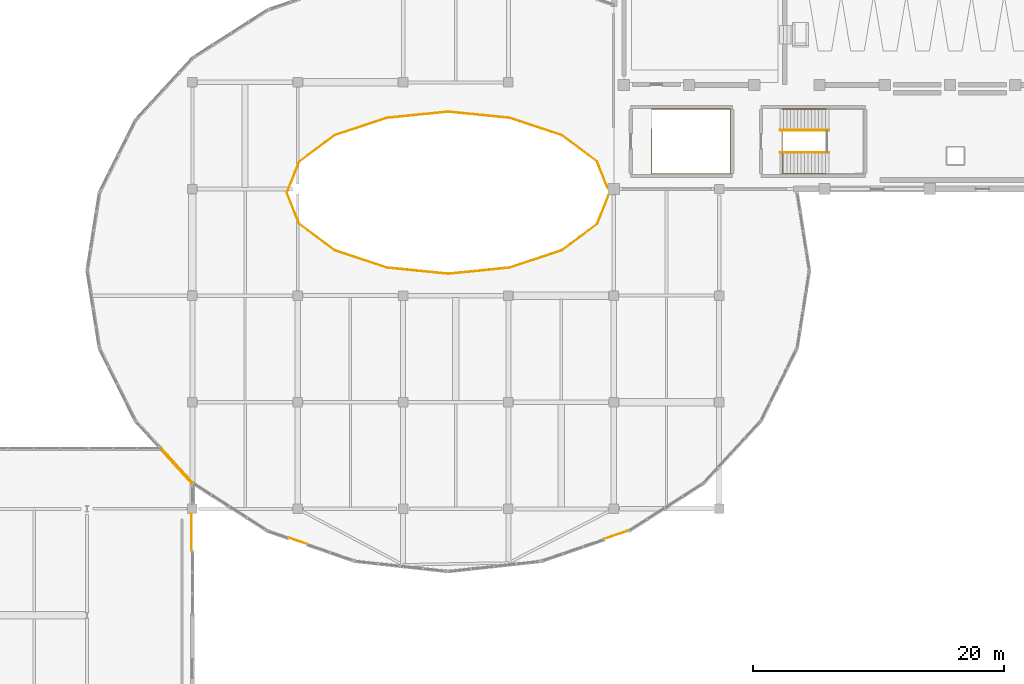
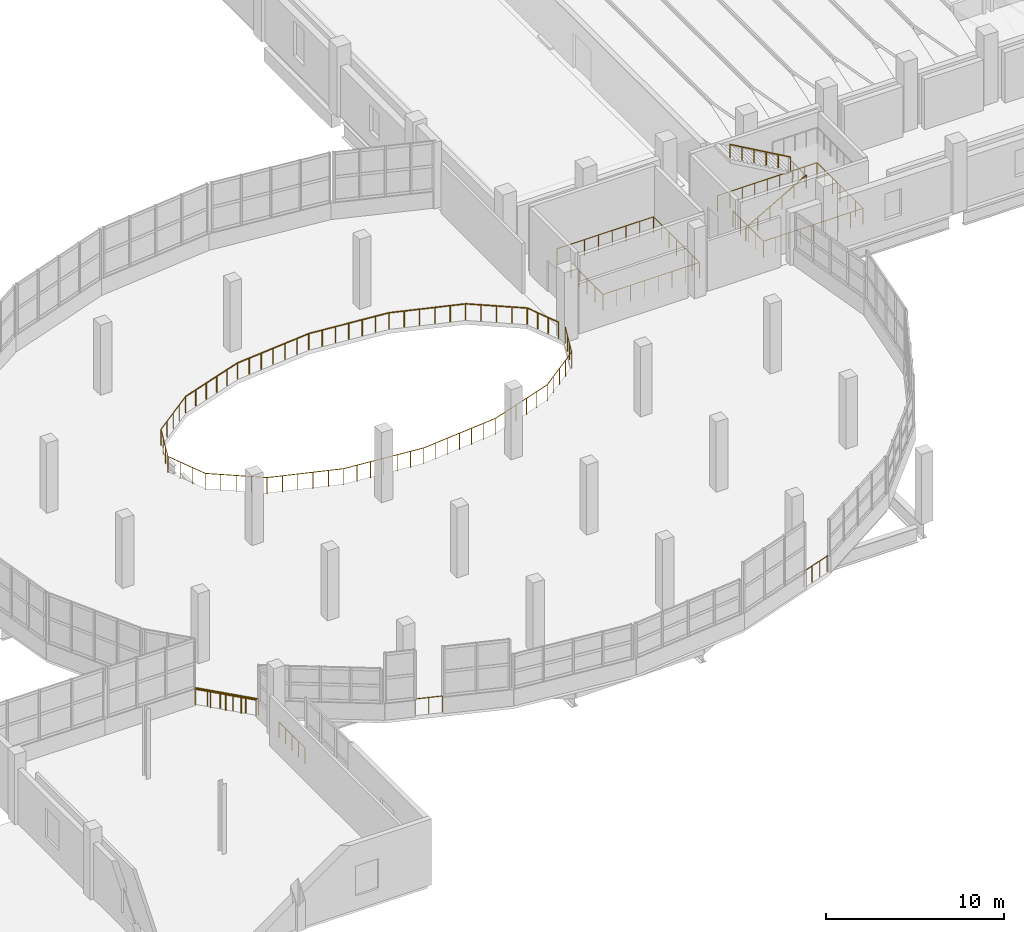
# One storey, part 110 of 117: 11 railings.
"""IFC4 building model written with IfcOpenShell, lengths in metres."""

from ifc_helpers import new_model, si_unit, direction, frame, origin, origin_2d, place, context, subcontext, project, spatial, circle, extrude, material, type_object, element, save


model = new_model("IFC4")

# Units and contexts
model_context = context("Model", 3, precision=1e-05, world=origin(), true_north=direction((0.0, 1.0)))
body_context = subcontext(model_context, "Body", "Model", "MODEL_VIEW")
ifc_project = project(units=[si_unit("LENGTHUNIT", "METRE"), si_unit("AREAUNIT", "SQUARE_METRE"), si_unit("VOLUMEUNIT", "CUBIC_METRE"), si_unit("PLANEANGLEUNIT", "RADIAN"), si_unit("MASSUNIT", "GRAM", prefix="KILO")], contexts=[model_context])

# Site, building, storey
site_placement = place(None, origin())
site = spatial("IfcSite", under=ifc_project, at=site_placement, CompositionType="ELEMENT")
building_placement = place(site_placement, origin())
building = spatial("IfcBuilding", under=site, at=building_placement, Name="Solvento Point Concert Hall", CompositionType="ELEMENT")
storey_placement = place(building_placement, frame((0.0, 0.0, 5.39990234375)))
storey = spatial("IfcBuildingStorey", under=building, at=storey_placement, Name="L01", CompositionType="ELEMENT", Elevation=5.39990234375)

# Railings
ifc_material_1 = material(Name="Brushed Stainless Steel Balustrade", Category="steel")
railing_type_1 = type_object("IfcRailingType", Name="StairHandrail_915", PredefinedType="HANDRAIL", material=ifc_material_1)
railing_1_placement = place(storey_placement, frame((87.64990234375, 45.409912109375, 0.16015625)))
element("IfcRailing", 1, at=railing_1_placement, inside=storey, type_object=railing_type_1, Name="Stair handrail HR-01 ST-06 L01 F1", PredefinedType="HANDRAIL", context=body_context, shape_type="SweptSolid", body=[
    extrude(circle(Radius=0.0224609375, at=origin_2d()), frame((0.0, 0.0, 0.892578125), z_axis=(0.86825312469, 0.0, 0.496121468458), x_axis=(0.0, 1.0, 0.0)), (0.0, 0.0, 1.0), 4.514892578125),
    extrude(circle(Radius=0.01904296875, at=origin_2d()), origin(), (0.0, 0.0, 1.0), 0.8701171875),
    extrude(circle(Radius=0.01904296875, at=origin_2d()), frame((0.783935546875, 0.0, 0.447998046875)), (0.0, 0.0, 1.0), 0.8701171875),
    extrude(circle(Radius=0.01904296875, at=origin_2d()), frame((1.568115234375, 0.0, 0.89599609375)), (0.0, 0.0, 1.0), 0.8701171875),
    extrude(circle(Radius=0.01904296875, at=origin_2d()), frame((2.35205078125, 0.0, 1.343994140625)), (0.0, 0.0, 1.0), 0.8701171875),
    extrude(circle(Radius=0.01904296875, at=origin_2d()), frame((3.13623046875, 0.0, 1.7919921875)), (0.0, 0.0, 1.0), 0.8701171875),
    extrude(circle(Radius=0.01904296875, at=origin_2d()), frame((3.920166015625, 0.0, 2.239990234375)), (0.0, 0.0, 1.0), 0.8701171875),
])
railing_2_placement = place(storey_placement, frame((91.570068359375, 47.18994140625, 2.56005859375)))
element("IfcRailing", 2, at=railing_2_placement, inside=storey, type_object=railing_type_1, Name="Stair handrail HR-01 ST-06 L01 F2", PredefinedType="HANDRAIL", context=body_context, shape_type="SweptSolid", body=[
    extrude(circle(Radius=0.0224609375, at=origin_2d()), frame((0.0, 0.0, 0.892578125), z_axis=(-0.86825312469, 0.0, 0.496121468458), x_axis=(0.0, -1.0, 0.0)), (0.0, 0.0, 1.0), 4.514892578125),
    extrude(circle(Radius=0.01904296875, at=origin_2d()), origin(), (0.0, 0.0, 1.0), 0.8701171875),
    extrude(circle(Radius=0.01904296875, at=origin_2d()), frame((-0.783935546875, 0.0, 0.447998046875)), (0.0, 0.0, 1.0), 0.8701171875),
    extrude(circle(Radius=0.01904296875, at=origin_2d()), frame((-1.568115234375, 0.0, 0.89599609375)), (0.0, 0.0, 1.0), 0.8701171875),
    extrude(circle(Radius=0.01904296875, at=origin_2d()), frame((-2.35205078125, 0.0, 1.343994140625)), (0.0, 0.0, 1.0), 0.8701171875),
    extrude(circle(Radius=0.01904296875, at=origin_2d()), frame((-3.13623046875, 0.0, 1.7919921875)), (0.0, 0.0, 1.0), 0.8701171875),
    extrude(circle(Radius=0.01904296875, at=origin_2d()), frame((-3.920166015625, 0.0, 2.239990234375)), (0.0, 0.0, 1.0), 0.8701171875),
])
ifc_material_2 = material(Name="Brushed Stainless Steel Balustrade", Category="steel")
railing_type_2 = type_object("IfcRailingType", Name="StairWellGuard_1100", PredefinedType="BALUSTRADE", material=ifc_material_2)
railing_3_placement = place(storey_placement, frame((87.820068359375, 47.139892578125, 0.0)))
element("IfcRailing", 3, at=railing_3_placement, inside=storey, type_object=railing_type_2, Name="Stairwell guard GR-02 ST-06 L01", PredefinedType="BALUSTRADE", context=body_context, shape_type="SweptSolid", body=[
    extrude(circle(Radius=0.02392578125, at=origin_2d()), frame((0.0, 0.0, 1.09619140625), z_axis=(0.0, -1.0, 0.0), x_axis=(1.0, 0.0, 0.0)), (0.0, 0.0, 1.0), 3.419921875),
    extrude(circle(Radius=0.02392578125, at=origin_2d()), frame((0.0, -3.419921875, 1.09619140625), z_axis=(1.0, 0.0, 0.0), x_axis=(0.0, 1.0, 0.0)), (0.0, 0.0, 1.0), 6.4599609375),
    extrude(circle(Radius=0.02392578125, at=origin_2d()), frame((6.4599609375, -3.419921875, 1.09619140625), z_axis=(0.0, 1.0, 0.0), x_axis=(-1.0, 0.0, 0.0)), (0.0, 0.0, 1.0), 5.159912109375),
    extrude(circle(Radius=0.02392578125, at=origin_2d()), frame((6.4599609375, 1.739990234375, 1.09619140625), z_axis=(-1.0, 0.0, 0.0), x_axis=(0.0, -1.0, 0.0)), (0.0, 0.0, 1.0), 6.4599609375),
    extrude(circle(Radius=0.02392578125, at=origin_2d()), frame((0.0, 1.739990234375, 1.09619140625), z_axis=(0.0, 1.0, 0.0), x_axis=(-1.0, 0.0, 0.0)), (0.0, 0.0, 1.0), 0.02001953125),
    extrude(circle(Radius=0.02099609375, at=origin_2d()), origin(), (0.0, 0.0, 1.0), 1.072021484375),
    extrude(circle(Radius=0.02099609375, at=origin_2d()), frame((0.0, -0.85498046875, 0.0)), (0.0, 0.0, 1.0), 1.072021484375),
    extrude(circle(Radius=0.02099609375, at=origin_2d()), frame((0.0, -1.7099609375, 0.0)), (0.0, 0.0, 1.0), 1.072021484375),
    extrude(circle(Radius=0.02099609375, at=origin_2d()), frame((0.0, -2.56494140625, 0.0)), (0.0, 0.0, 1.0), 1.072021484375),
    extrude(circle(Radius=0.02099609375, at=origin_2d()), frame((0.0, -3.419921875, 0.0)), (0.0, 0.0, 1.0), 1.072021484375),
    extrude(circle(Radius=0.02099609375, at=origin_2d()), frame((0.8076171875, -3.419921875, 0.0)), (0.0, 0.0, 1.0), 1.072021484375),
    extrude(circle(Radius=0.02099609375, at=origin_2d()), frame((1.614990234375, -3.419921875, 0.0)), (0.0, 0.0, 1.0), 1.072021484375),
    extrude(circle(Radius=0.02099609375, at=origin_2d()), frame((2.42236328125, -3.419921875, 0.0)), (0.0, 0.0, 1.0), 1.072021484375),
    extrude(circle(Radius=0.02099609375, at=origin_2d()), frame((3.22998046875, -3.419921875, 0.0)), (0.0, 0.0, 1.0), 1.072021484375),
    extrude(circle(Radius=0.02099609375, at=origin_2d()), frame((4.03759765625, -3.419921875, 0.0)), (0.0, 0.0, 1.0), 1.072021484375),
    extrude(circle(Radius=0.02099609375, at=origin_2d()), frame((4.844970703125, -3.419921875, 0.0)), (0.0, 0.0, 1.0), 1.072021484375),
    extrude(circle(Radius=0.02099609375, at=origin_2d()), frame((5.65234375, -3.419921875, 0.0)), (0.0, 0.0, 1.0), 1.072021484375),
    extrude(circle(Radius=0.02099609375, at=origin_2d()), frame((6.4599609375, -3.419921875, 0.0)), (0.0, 0.0, 1.0), 1.072021484375),
    extrude(circle(Radius=0.02099609375, at=origin_2d()), frame((6.4599609375, -2.56005859375, 0.0)), (0.0, 0.0, 1.0), 1.072021484375),
    extrude(circle(Radius=0.02099609375, at=origin_2d()), frame((6.4599609375, -1.699951171875, 0.0)), (0.0, 0.0, 1.0), 1.072021484375),
    extrude(circle(Radius=0.02099609375, at=origin_2d()), frame((6.4599609375, -0.83984375, 0.0)), (0.0, 0.0, 1.0), 1.072021484375),
    extrude(circle(Radius=0.02099609375, at=origin_2d()), frame((6.4599609375, 0.02001953125, 0.0)), (0.0, 0.0, 1.0), 1.072021484375),
    extrude(circle(Radius=0.02099609375, at=origin_2d()), frame((6.4599609375, 0.8798828125, 0.0)), (0.0, 0.0, 1.0), 1.072021484375),
    extrude(circle(Radius=0.02099609375, at=origin_2d()), frame((6.4599609375, 1.739990234375, 0.0)), (0.0, 0.0, 1.0), 1.072021484375),
    extrude(circle(Radius=0.02099609375, at=origin_2d()), frame((5.65234375, 1.739990234375, 0.0)), (0.0, 0.0, 1.0), 1.072021484375),
    extrude(circle(Radius=0.02099609375, at=origin_2d()), frame((4.844970703125, 1.739990234375, 0.0)), (0.0, 0.0, 1.0), 1.072021484375),
    extrude(circle(Radius=0.02099609375, at=origin_2d()), frame((4.03759765625, 1.739990234375, 0.0)), (0.0, 0.0, 1.0), 1.072021484375),
    extrude(circle(Radius=0.02099609375, at=origin_2d()), frame((3.22998046875, 1.739990234375, 0.0)), (0.0, 0.0, 1.0), 1.072021484375),
    extrude(circle(Radius=0.02099609375, at=origin_2d()), frame((2.42236328125, 1.739990234375, 0.0)), (0.0, 0.0, 1.0), 1.072021484375),
    extrude(circle(Radius=0.02099609375, at=origin_2d()), frame((1.614990234375, 1.739990234375, 0.0)), (0.0, 0.0, 1.0), 1.072021484375),
    extrude(circle(Radius=0.02099609375, at=origin_2d()), frame((0.8076171875, 1.739990234375, 0.0)), (0.0, 0.0, 1.0), 1.072021484375),
    extrude(circle(Radius=0.02099609375, at=origin_2d()), frame((0.0, 1.739990234375, 0.0)), (0.0, 0.0, 1.0), 1.072021484375),
    extrude(circle(Radius=0.02099609375, at=origin_2d()), frame((0.0, 1.760009765625, 0.0)), (0.0, 0.0, 1.0), 1.072021484375),
])
railing_4_placement = place(storey_placement, frame((77.419921875, 47.300048828125, 0.0)))
element("IfcRailing", 4, at=railing_4_placement, inside=storey, type_object=railing_type_2, Name="Stairwell guard GR-02 VOM-01 L01", PredefinedType="BALUSTRADE", context=body_context, shape_type="SweptSolid", body=[
    extrude(circle(Radius=0.02392578125, at=origin_2d()), frame((0.0, 0.0, 1.09619140625), z_axis=(0.0, -1.0, 0.0), x_axis=(1.0, 0.0, 0.0)), (0.0, 0.0, 1.0), 3.580078125),
    extrude(circle(Radius=0.02392578125, at=origin_2d()), frame((0.0, -3.580078125, 1.09619140625), z_axis=(1.0, 0.0, 0.0), x_axis=(0.0, 1.0, 0.0)), (0.0, 0.0, 1.0), 6.260009765625),
    extrude(circle(Radius=0.02392578125, at=origin_2d()), frame((6.260009765625, -3.580078125, 1.09619140625), z_axis=(0.0, 1.0, 0.0), x_axis=(-1.0, 0.0, 0.0)), (0.0, 0.0, 1.0), 5.159912109375),
    extrude(circle(Radius=0.02392578125, at=origin_2d()), frame((6.260009765625, 1.579833984375, 1.09619140625), z_axis=(-1.0, 0.0, 0.0), x_axis=(0.0, -1.0, 0.0)), (0.0, 0.0, 1.0), 6.260009765625),
    extrude(circle(Radius=0.02392578125, at=origin_2d()), frame((0.0, 1.579833984375, 1.09619140625), z_axis=(0.0, 1.0, 0.0), x_axis=(-1.0, 0.0, 0.0)), (0.0, 0.0, 1.0), 0.02001953125),
    extrude(circle(Radius=0.02099609375, at=origin_2d()), origin(), (0.0, 0.0, 1.0), 1.072021484375),
    extrude(circle(Radius=0.02099609375, at=origin_2d()), frame((0.0, -0.89501953125, 0.0)), (0.0, 0.0, 1.0), 1.072021484375),
    extrude(circle(Radius=0.02099609375, at=origin_2d()), frame((0.0, -1.7900390625, 0.0)), (0.0, 0.0, 1.0), 1.072021484375),
    extrude(circle(Radius=0.02099609375, at=origin_2d()), frame((0.0, -2.68505859375, 0.0)), (0.0, 0.0, 1.0), 1.072021484375),
    extrude(circle(Radius=0.02099609375, at=origin_2d()), frame((0.0, -3.580078125, 0.0)), (0.0, 0.0, 1.0), 1.072021484375),
    extrude(circle(Radius=0.02099609375, at=origin_2d()), frame((0.894287109375, -3.580078125, 0.0)), (0.0, 0.0, 1.0), 1.072021484375),
    extrude(circle(Radius=0.02099609375, at=origin_2d()), frame((1.78857421875, -3.580078125, 0.0)), (0.0, 0.0, 1.0), 1.072021484375),
    extrude(circle(Radius=0.02099609375, at=origin_2d()), frame((2.682861328125, -3.580078125, 0.0)), (0.0, 0.0, 1.0), 1.072021484375),
    extrude(circle(Radius=0.02099609375, at=origin_2d()), frame((3.5771484375, -3.580078125, 0.0)), (0.0, 0.0, 1.0), 1.072021484375),
    extrude(circle(Radius=0.02099609375, at=origin_2d()), frame((4.471435546875, -3.580078125, 0.0)), (0.0, 0.0, 1.0), 1.072021484375),
    extrude(circle(Radius=0.02099609375, at=origin_2d()), frame((5.36572265625, -3.580078125, 0.0)), (0.0, 0.0, 1.0), 1.072021484375),
    extrude(circle(Radius=0.02099609375, at=origin_2d()), frame((6.260009765625, -3.580078125, 0.0)), (0.0, 0.0, 1.0), 1.072021484375),
    extrude(circle(Radius=0.02099609375, at=origin_2d()), frame((6.260009765625, -2.72021484375, 0.0)), (0.0, 0.0, 1.0), 1.072021484375),
    extrude(circle(Radius=0.02099609375, at=origin_2d()), frame((6.260009765625, -1.860107421875, 0.0)), (0.0, 0.0, 1.0), 1.072021484375),
    extrude(circle(Radius=0.02099609375, at=origin_2d()), frame((6.260009765625, -1.0, 0.0)), (0.0, 0.0, 1.0), 1.072021484375),
    extrude(circle(Radius=0.02099609375, at=origin_2d()), frame((6.260009765625, -0.14013671875, 0.0)), (0.0, 0.0, 1.0), 1.072021484375),
    extrude(circle(Radius=0.02099609375, at=origin_2d()), frame((6.260009765625, 0.7197265625, 0.0)), (0.0, 0.0, 1.0), 1.072021484375),
    extrude(circle(Radius=0.02099609375, at=origin_2d()), frame((6.260009765625, 1.579833984375, 0.0)), (0.0, 0.0, 1.0), 1.072021484375),
    extrude(circle(Radius=0.02099609375, at=origin_2d()), frame((5.36572265625, 1.579833984375, 0.0)), (0.0, 0.0, 1.0), 1.072021484375),
    extrude(circle(Radius=0.02099609375, at=origin_2d()), frame((4.471435546875, 1.579833984375, 0.0)), (0.0, 0.0, 1.0), 1.072021484375),
    extrude(circle(Radius=0.02099609375, at=origin_2d()), frame((3.5771484375, 1.579833984375, 0.0)), (0.0, 0.0, 1.0), 1.072021484375),
    extrude(circle(Radius=0.02099609375, at=origin_2d()), frame((2.682861328125, 1.579833984375, 0.0)), (0.0, 0.0, 1.0), 1.072021484375),
    extrude(circle(Radius=0.02099609375, at=origin_2d()), frame((1.78857421875, 1.579833984375, 0.0)), (0.0, 0.0, 1.0), 1.072021484375),
    extrude(circle(Radius=0.02099609375, at=origin_2d()), frame((0.894287109375, 1.579833984375, 0.0)), (0.0, 0.0, 1.0), 1.072021484375),
    extrude(circle(Radius=0.02099609375, at=origin_2d()), frame((0.0, 1.579833984375, 0.0)), (0.0, 0.0, 1.0), 1.072021484375),
    extrude(circle(Radius=0.02099609375, at=origin_2d()), frame((0.0, 1.599853515625, 0.0)), (0.0, 0.0, 1.0), 1.072021484375),
])
ifc_material_3 = material(Name="Brushed Stainless Steel Balustrade", Category="steel")
railing_type_3 = type_object("IfcRailingType", Name="TerraceBalustrade_1100", PredefinedType="BALUSTRADE", material=ifc_material_3)
railing_5_placement = place(storey_placement, frame((49.964599609375, 14.1865234375, 0.0)))
element("IfcRailing", 5, at=railing_5_placement, inside=storey, type_object=railing_type_3, Name="Guard balustrade GR-01 L01", PredefinedType="BALUSTRADE", context=body_context, shape_type="SweptSolid", body=[
    extrude(circle(Radius=0.02392578125, at=origin_2d()), frame((0.0, 0.0, 1.09619140625), z_axis=(-0.945300533114, 0.326200708297, 0.0), x_axis=(-0.326200708297, -0.945300533114, 0.0)), (0.0, 0.0, 1.0), 1.576171875),
    extrude(circle(Radius=0.02099609375, at=origin_2d()), origin(), (0.0, 0.0, 1.0), 1.072021484375),
    extrude(circle(Radius=0.02099609375, at=origin_2d()), frame((-0.7451171875, 0.257080078125, 0.0)), (0.0, 0.0, 1.0), 1.072021484375),
    extrude(circle(Radius=0.02099609375, at=origin_2d()), frame((-1.489990234375, 0.51416015625, 0.0)), (0.0, 0.0, 1.0), 1.072021484375),
])
railing_6_placement = place(storey_placement, frame((40.86865234375, 19.081787109375, 0.0)))
element("IfcRailing", 6, at=railing_6_placement, inside=storey, type_object=railing_type_3, Name="Guard balustrade GR-01 L01", PredefinedType="BALUSTRADE", context=body_context, shape_type="SweptSolid", body=[
    extrude(circle(Radius=0.02392578125, at=origin_2d()), frame((0.0, 0.0, 1.09619140625), z_axis=(-0.677373791956, 0.7356390052, 0.0), x_axis=(-0.7356390052, -0.677373791956, 0.0)), (0.0, 0.0, 1.0), 3.750244140625),
    extrude(circle(Radius=0.02099609375, at=origin_2d()), origin(), (0.0, 0.0, 1.0), 1.072021484375),
    extrude(circle(Radius=0.02099609375, at=origin_2d()), frame((-0.508056640625, 0.5517578125, 0.0)), (0.0, 0.0, 1.0), 1.072021484375),
    extrude(circle(Radius=0.02099609375, at=origin_2d()), frame((-1.01611328125, 1.103515625, 0.0)), (0.0, 0.0, 1.0), 1.072021484375),
    extrude(circle(Radius=0.02099609375, at=origin_2d()), frame((-1.524169921875, 1.6552734375, 0.0)), (0.0, 0.0, 1.0), 1.072021484375),
    extrude(circle(Radius=0.02099609375, at=origin_2d()), frame((-2.0322265625, 2.20703125, 0.0)), (0.0, 0.0, 1.0), 1.072021484375),
    extrude(circle(Radius=0.02099609375, at=origin_2d()), frame((-2.540283203125, 2.7587890625, 0.0)), (0.0, 0.0, 1.0), 1.072021484375),
])
railing_7_placement = place(storey_placement, frame((75.56689453125, 15.267333984375, 0.0)))
element("IfcRailing", 7, at=railing_7_placement, inside=storey, type_object=railing_type_3, Name="Guard balustrade GR-01 L01", PredefinedType="BALUSTRADE", context=body_context, shape_type="SweptSolid", body=[
    extrude(circle(Radius=0.02392578125, at=origin_2d()), frame((0.0, 0.0, 1.09619140625), z_axis=(-0.945259913944, -0.32631839527, 0.0), x_axis=(0.32631839527, -0.945259913944, 0.0)), (0.0, 0.0, 1.0), 2.043212890625),
    extrude(circle(Radius=0.02099609375, at=origin_2d()), origin(), (0.0, 0.0, 1.0), 1.072021484375),
    extrude(circle(Radius=0.02099609375, at=origin_2d()), frame((-0.643798828125, -0.22216796875, 0.0)), (0.0, 0.0, 1.0), 1.072021484375),
    extrude(circle(Radius=0.02099609375, at=origin_2d()), frame((-1.28759765625, -0.444580078125, 0.0)), (0.0, 0.0, 1.0), 1.072021484375),
    extrude(circle(Radius=0.02099609375, at=origin_2d()), frame((-1.931396484375, -0.666748046875, 0.0)), (0.0, 0.0, 1.0), 1.072021484375),
])
railing_8_placement = place(storey_placement, frame((52.120849609375, 46.779296875, 0.0)))
element("IfcRailing", 8, at=railing_8_placement, inside=storey, type_object=railing_type_3, Name="Guard balustrade GR-01 L01", PredefinedType="BALUSTRADE", context=body_context, shape_type="SweptSolid", body=[
    extrude(circle(Radius=0.02392578125, at=origin_2d()), frame((0.0, 0.0, 1.09619140625), z_axis=(-0.800662244724, -0.599115990333, 0.0), x_axis=(0.599115990333, -0.800662244724, 0.0)), (0.0, 0.0, 1.0), 3.4921875),
    extrude(circle(Radius=0.02392578125, at=origin_2d()), frame((-2.796142578125, -2.09228515625, 1.09619140625), z_axis=(-0.369597166612, -0.92919208694, 0.0), x_axis=(0.92919208694, -0.369597166612, 0.0)), (0.0, 0.0, 1.0), 2.676513671875),
    extrude(circle(Radius=0.02392578125, at=origin_2d()), frame((-3.785400390625, -4.579345703125, 1.09619140625), z_axis=(0.369597166612, -0.92919208694, 0.0), x_axis=(0.92919208694, 0.369597166612, 0.0)), (0.0, 0.0, 1.0), 2.676513671875),
    extrude(circle(Radius=0.02392578125, at=origin_2d()), frame((-2.796142578125, -7.06640625, 1.09619140625), z_axis=(0.800662244724, -0.599115990333, 0.0), x_axis=(0.599115990333, 0.800662244724, 0.0)), (0.0, 0.0, 1.0), 3.4921875),
    extrude(circle(Radius=0.02392578125, at=origin_2d()), frame((0.0, -9.15869140625, 1.09619140625), z_axis=(0.948483111882, -0.31682769209, 0.0), x_axis=(0.31682769209, 0.948483111882, 0.0)), (0.0, 0.0, 1.0), 4.39453125),
    extrude(circle(Radius=0.02392578125, at=origin_2d()), frame((4.168212890625, -10.551025390625, 1.09619140625), z_axis=(0.995088486481, -0.098989413942, 0.0), x_axis=(0.098989413942, 0.995088486481, 0.0)), (0.0, 0.0, 1.0), 4.93505859375),
    extrude(circle(Radius=0.02392578125, at=origin_2d()), frame((9.0791015625, -11.03955078125, 1.09619140625), z_axis=(0.995088486481, 0.098989413942, 0.0), x_axis=(-0.098989413942, 0.995088486481, 0.0)), (0.0, 0.0, 1.0), 4.93505859375),
    extrude(circle(Radius=0.02392578125, at=origin_2d()), frame((13.989990234375, -10.551025390625, 1.09619140625), z_axis=(0.948488687996, 0.316810998456, 0.0), x_axis=(-0.316810998456, 0.948488687996, 0.0)), (0.0, 0.0, 1.0), 4.394775390625),
    extrude(circle(Radius=0.02392578125, at=origin_2d()), frame((18.158447265625, -9.15869140625, 1.09619140625), z_axis=(0.800637149656, 0.59914952607, 0.0), x_axis=(-0.59914952607, 0.800637149656, 0.0)), (0.0, 0.0, 1.0), 3.4921875),
    extrude(circle(Radius=0.02392578125, at=origin_2d()), frame((20.954345703125, -7.06640625, 1.09619140625), z_axis=(0.369662845052, 0.929165959874, 0.0), x_axis=(-0.929165959874, 0.369662845052, 0.0)), (0.0, 0.0, 1.0), 2.46142578125),
    extrude(circle(Radius=0.02099609375, at=origin_2d()), origin(), (0.0, 0.0, 1.0), 1.072021484375),
    extrude(circle(Radius=0.02099609375, at=origin_2d()), frame((-0.698974609375, -0.52294921875, 0.0)), (0.0, 0.0, 1.0), 1.072021484375),
    extrude(circle(Radius=0.02099609375, at=origin_2d()), frame((-1.39794921875, -1.046142578125, 0.0)), (0.0, 0.0, 1.0), 1.072021484375),
    extrude(circle(Radius=0.02099609375, at=origin_2d()), frame((-2.09716796875, -1.5693359375, 0.0)), (0.0, 0.0, 1.0), 1.072021484375),
    extrude(circle(Radius=0.02099609375, at=origin_2d()), frame((-2.796142578125, -2.09228515625, 0.0)), (0.0, 0.0, 1.0), 1.072021484375),
    extrude(circle(Radius=0.02099609375, at=origin_2d()), frame((-3.1259765625, -2.92138671875, 0.0)), (0.0, 0.0, 1.0), 1.072021484375),
    extrude(circle(Radius=0.02099609375, at=origin_2d()), frame((-3.45556640625, -3.750244140625, 0.0)), (0.0, 0.0, 1.0), 1.072021484375),
    extrude(circle(Radius=0.02099609375, at=origin_2d()), frame((-3.785400390625, -4.579345703125, 0.0)), (0.0, 0.0, 1.0), 1.072021484375),
    extrude(circle(Radius=0.02099609375, at=origin_2d()), frame((-3.45556640625, -5.408447265625, 0.0)), (0.0, 0.0, 1.0), 1.072021484375),
    extrude(circle(Radius=0.02099609375, at=origin_2d()), frame((-3.1259765625, -6.2373046875, 0.0)), (0.0, 0.0, 1.0), 1.072021484375),
    extrude(circle(Radius=0.02099609375, at=origin_2d()), frame((-2.796142578125, -7.06640625, 0.0)), (0.0, 0.0, 1.0), 1.072021484375),
    extrude(circle(Radius=0.02099609375, at=origin_2d()), frame((-2.09716796875, -7.58935546875, 0.0)), (0.0, 0.0, 1.0), 1.072021484375),
    extrude(circle(Radius=0.02099609375, at=origin_2d()), frame((-1.39794921875, -8.112548828125, 0.0)), (0.0, 0.0, 1.0), 1.072021484375),
    extrude(circle(Radius=0.02099609375, at=origin_2d()), frame((-0.698974609375, -8.6357421875, 0.0)), (0.0, 0.0, 1.0), 1.072021484375),
    extrude(circle(Radius=0.02099609375, at=origin_2d()), frame((0.0, -9.15869140625, 0.0)), (0.0, 0.0, 1.0), 1.072021484375),
    extrude(circle(Radius=0.02099609375, at=origin_2d()), frame((0.833740234375, -9.437255859375, 0.0)), (0.0, 0.0, 1.0), 1.072021484375),
    extrude(circle(Radius=0.02099609375, at=origin_2d()), frame((1.667236328125, -9.715576171875, 0.0)), (0.0, 0.0, 1.0), 1.072021484375),
    extrude(circle(Radius=0.02099609375, at=origin_2d()), frame((2.5009765625, -9.994140625, 0.0)), (0.0, 0.0, 1.0), 1.072021484375),
    extrude(circle(Radius=0.02099609375, at=origin_2d()), frame((3.33447265625, -10.2724609375, 0.0)), (0.0, 0.0, 1.0), 1.072021484375),
    extrude(circle(Radius=0.02099609375, at=origin_2d()), frame((4.168212890625, -10.551025390625, 0.0)), (0.0, 0.0, 1.0), 1.072021484375),
    extrude(circle(Radius=0.02099609375, at=origin_2d()), frame((4.98681640625, -10.63232421875, 0.0)), (0.0, 0.0, 1.0), 1.072021484375),
    extrude(circle(Radius=0.02099609375, at=origin_2d()), frame((5.80517578125, -10.7138671875, 0.0)), (0.0, 0.0, 1.0), 1.072021484375),
    extrude(circle(Radius=0.02099609375, at=origin_2d()), frame((6.62353515625, -10.79541015625, 0.0)), (0.0, 0.0, 1.0), 1.072021484375),
    extrude(circle(Radius=0.02099609375, at=origin_2d()), frame((7.442138671875, -10.876708984375, 0.0)), (0.0, 0.0, 1.0), 1.072021484375),
    extrude(circle(Radius=0.02099609375, at=origin_2d()), frame((8.2607421875, -10.9580078125, 0.0)), (0.0, 0.0, 1.0), 1.072021484375),
    extrude(circle(Radius=0.02099609375, at=origin_2d()), frame((9.0791015625, -11.03955078125, 0.0)), (0.0, 0.0, 1.0), 1.072021484375),
    extrude(circle(Radius=0.02099609375, at=origin_2d()), frame((9.8974609375, -10.9580078125, 0.0)), (0.0, 0.0, 1.0), 1.072021484375),
    extrude(circle(Radius=0.02099609375, at=origin_2d()), frame((10.716064453125, -10.876708984375, 0.0)), (0.0, 0.0, 1.0), 1.072021484375),
    extrude(circle(Radius=0.02099609375, at=origin_2d()), frame((11.53466796875, -10.79541015625, 0.0)), (0.0, 0.0, 1.0), 1.072021484375),
    extrude(circle(Radius=0.02099609375, at=origin_2d()), frame((12.35302734375, -10.7138671875, 0.0)), (0.0, 0.0, 1.0), 1.072021484375),
    extrude(circle(Radius=0.02099609375, at=origin_2d()), frame((13.17138671875, -10.63232421875, 0.0)), (0.0, 0.0, 1.0), 1.072021484375),
    extrude(circle(Radius=0.02099609375, at=origin_2d()), frame((13.989990234375, -10.551025390625, 0.0)), (0.0, 0.0, 1.0), 1.072021484375),
    extrude(circle(Radius=0.02099609375, at=origin_2d()), frame((14.82373046875, -10.2724609375, 0.0)), (0.0, 0.0, 1.0), 1.072021484375),
    extrude(circle(Radius=0.02099609375, at=origin_2d()), frame((15.657470703125, -9.994140625, 0.0)), (0.0, 0.0, 1.0), 1.072021484375),
    extrude(circle(Radius=0.02099609375, at=origin_2d()), frame((16.490966796875, -9.715576171875, 0.0)), (0.0, 0.0, 1.0), 1.072021484375),
    extrude(circle(Radius=0.02099609375, at=origin_2d()), frame((17.32470703125, -9.437255859375, 0.0)), (0.0, 0.0, 1.0), 1.072021484375),
    extrude(circle(Radius=0.02099609375, at=origin_2d()), frame((18.158447265625, -9.15869140625, 0.0)), (0.0, 0.0, 1.0), 1.072021484375),
    extrude(circle(Radius=0.02099609375, at=origin_2d()), frame((18.857421875, -8.6357421875, 0.0)), (0.0, 0.0, 1.0), 1.072021484375),
    extrude(circle(Radius=0.02099609375, at=origin_2d()), frame((19.556396484375, -8.112548828125, 0.0)), (0.0, 0.0, 1.0), 1.072021484375),
    extrude(circle(Radius=0.02099609375, at=origin_2d()), frame((20.25537109375, -7.58935546875, 0.0)), (0.0, 0.0, 1.0), 1.072021484375),
    extrude(circle(Radius=0.02099609375, at=origin_2d()), frame((20.954345703125, -7.06640625, 0.0)), (0.0, 0.0, 1.0), 1.072021484375),
    extrude(circle(Radius=0.02099609375, at=origin_2d()), frame((21.257568359375, -6.303955078125, 0.0)), (0.0, 0.0, 1.0), 1.072021484375),
    extrude(circle(Radius=0.02099609375, at=origin_2d()), frame((21.56103515625, -5.541748046875, 0.0)), (0.0, 0.0, 1.0), 1.072021484375),
    extrude(circle(Radius=0.02099609375, at=origin_2d()), frame((21.8642578125, -4.779296875, 0.0)), (0.0, 0.0, 1.0), 1.072021484375),
])
railing_9_placement = place(storey_placement, frame((73.89990234375, 42.61376953125, 0.0)))
element("IfcRailing", 9, at=railing_9_placement, inside=storey, type_object=railing_type_3, Name="Guard balustrade GR-01 L01", PredefinedType="BALUSTRADE", context=body_context, shape_type="SweptSolid", body=[
    extrude(circle(Radius=0.02392578125, at=origin_2d()), frame((0.0, 0.0, 1.09619140625), z_axis=(-0.369616660008, 0.929184332974, 0.0), x_axis=(-0.929184332974, -0.369616660008, 0.0)), (0.0, 0.0, 1.0), 2.231201171875),
    extrude(circle(Radius=0.02392578125, at=origin_2d()), frame((-0.82470703125, 2.0732421875, 1.09619140625), z_axis=(-0.800637149656, 0.59914952607, 0.0), x_axis=(-0.59914952607, -0.800637149656, 0.0)), (0.0, 0.0, 1.0), 3.4921875),
    extrude(circle(Radius=0.02392578125, at=origin_2d()), frame((-3.62060546875, 4.16552734375, 1.09619140625), z_axis=(-0.94847199417, 0.316860973102, 0.0), x_axis=(-0.316860973102, -0.94847199417, 0.0)), (0.0, 0.0, 1.0), 4.39501953125),
    extrude(circle(Radius=0.02392578125, at=origin_2d()), frame((-7.7890625, 5.55810546875, 1.09619140625), z_axis=(-0.995088486481, 0.098989413942, 0.0), x_axis=(-0.098989413942, -0.995088486481, 0.0)), (0.0, 0.0, 1.0), 4.93505859375),
    extrude(circle(Radius=0.02392578125, at=origin_2d()), frame((-12.699951171875, 6.046630859375, 1.09619140625), z_axis=(-0.995088486481, -0.098989413942, 0.0), x_axis=(0.098989413942, -0.995088486481, 0.0)), (0.0, 0.0, 1.0), 4.93505859375),
    extrude(circle(Radius=0.02392578125, at=origin_2d()), frame((-17.61083984375, 5.55810546875, 1.09619140625), z_axis=(-0.948466416394, -0.316877668782, 0.0), x_axis=(0.316877668782, -0.948466416394, 0.0)), (0.0, 0.0, 1.0), 4.394775390625),
    extrude(circle(Radius=0.02099609375, at=origin_2d()), origin(), (0.0, 0.0, 1.0), 1.072021484375),
    extrude(circle(Radius=0.02099609375, at=origin_2d()), frame((-0.27490234375, 0.691162109375, 0.0)), (0.0, 0.0, 1.0), 1.072021484375),
    extrude(circle(Radius=0.02099609375, at=origin_2d()), frame((-0.5498046875, 1.382080078125, 0.0)), (0.0, 0.0, 1.0), 1.072021484375),
    extrude(circle(Radius=0.02099609375, at=origin_2d()), frame((-0.82470703125, 2.0732421875, 0.0)), (0.0, 0.0, 1.0), 1.072021484375),
    extrude(circle(Radius=0.02099609375, at=origin_2d()), frame((-1.523681640625, 2.59619140625, 0.0)), (0.0, 0.0, 1.0), 1.072021484375),
    extrude(circle(Radius=0.02099609375, at=origin_2d()), frame((-2.22265625, 3.119384765625, 0.0)), (0.0, 0.0, 1.0), 1.072021484375),
    extrude(circle(Radius=0.02099609375, at=origin_2d()), frame((-2.921630859375, 3.642578125, 0.0)), (0.0, 0.0, 1.0), 1.072021484375),
    extrude(circle(Radius=0.02099609375, at=origin_2d()), frame((-3.62060546875, 4.16552734375, 0.0)), (0.0, 0.0, 1.0), 1.072021484375),
    extrude(circle(Radius=0.02099609375, at=origin_2d()), frame((-4.454345703125, 4.444091796875, 0.0)), (0.0, 0.0, 1.0), 1.072021484375),
    extrude(circle(Radius=0.02099609375, at=origin_2d()), frame((-5.2880859375, 4.72265625, 0.0)), (0.0, 0.0, 1.0), 1.072021484375),
    extrude(circle(Radius=0.02099609375, at=origin_2d()), frame((-6.12158203125, 5.0009765625, 0.0)), (0.0, 0.0, 1.0), 1.072021484375),
    extrude(circle(Radius=0.02099609375, at=origin_2d()), frame((-6.955322265625, 5.279541015625, 0.0)), (0.0, 0.0, 1.0), 1.072021484375),
    extrude(circle(Radius=0.02099609375, at=origin_2d()), frame((-7.7890625, 5.55810546875, 0.0)), (0.0, 0.0, 1.0), 1.072021484375),
    extrude(circle(Radius=0.02099609375, at=origin_2d()), frame((-8.607421875, 5.6396484375, 0.0)), (0.0, 0.0, 1.0), 1.072021484375),
    extrude(circle(Radius=0.02099609375, at=origin_2d()), frame((-9.426025390625, 5.720947265625, 0.0)), (0.0, 0.0, 1.0), 1.072021484375),
    extrude(circle(Radius=0.02099609375, at=origin_2d()), frame((-10.24462890625, 5.80224609375, 0.0)), (0.0, 0.0, 1.0), 1.072021484375),
    extrude(circle(Radius=0.02099609375, at=origin_2d()), frame((-11.06298828125, 5.8837890625, 0.0)), (0.0, 0.0, 1.0), 1.072021484375),
    extrude(circle(Radius=0.02099609375, at=origin_2d()), frame((-11.88134765625, 5.96533203125, 0.0)), (0.0, 0.0, 1.0), 1.072021484375),
    extrude(circle(Radius=0.02099609375, at=origin_2d()), frame((-12.699951171875, 6.046630859375, 0.0)), (0.0, 0.0, 1.0), 1.072021484375),
    extrude(circle(Radius=0.02099609375, at=origin_2d()), frame((-13.5185546875, 5.96533203125, 0.0)), (0.0, 0.0, 1.0), 1.072021484375),
    extrude(circle(Radius=0.02099609375, at=origin_2d()), frame((-14.3369140625, 5.8837890625, 0.0)), (0.0, 0.0, 1.0), 1.072021484375),
    extrude(circle(Radius=0.02099609375, at=origin_2d()), frame((-15.1552734375, 5.80224609375, 0.0)), (0.0, 0.0, 1.0), 1.072021484375),
    extrude(circle(Radius=0.02099609375, at=origin_2d()), frame((-15.973876953125, 5.720947265625, 0.0)), (0.0, 0.0, 1.0), 1.072021484375),
    extrude(circle(Radius=0.02099609375, at=origin_2d()), frame((-16.79248046875, 5.6396484375, 0.0)), (0.0, 0.0, 1.0), 1.072021484375),
    extrude(circle(Radius=0.02099609375, at=origin_2d()), frame((-17.61083984375, 5.55810546875, 0.0)), (0.0, 0.0, 1.0), 1.072021484375),
    extrude(circle(Radius=0.02099609375, at=origin_2d()), frame((-18.444580078125, 5.279541015625, 0.0)), (0.0, 0.0, 1.0), 1.072021484375),
    extrude(circle(Radius=0.02099609375, at=origin_2d()), frame((-19.278076171875, 5.0009765625, 0.0)), (0.0, 0.0, 1.0), 1.072021484375),
    extrude(circle(Radius=0.02099609375, at=origin_2d()), frame((-20.11181640625, 4.72265625, 0.0)), (0.0, 0.0, 1.0), 1.072021484375),
    extrude(circle(Radius=0.02099609375, at=origin_2d()), frame((-20.9453125, 4.444091796875, 0.0)), (0.0, 0.0, 1.0), 1.072021484375),
    extrude(circle(Radius=0.02099609375, at=origin_2d()), frame((-21.779052734375, 4.16552734375, 0.0)), (0.0, 0.0, 1.0), 1.072021484375),
])
railing_10_placement = place(storey_placement, frame((38.2841796875, 21.71142578125, 0.0)))
element("IfcRailing", 10, at=railing_10_placement, inside=storey, type_object=railing_type_3, Name="Guard balustrade GR-01 L01", PredefinedType="BALUSTRADE", context=body_context, shape_type="SweptSolid", body=[
    extrude(circle(Radius=0.02392578125, at=origin_2d()), frame((0.0, 0.0, 1.09619140625), z_axis=(0.677362584016, -0.735649325274, 0.0), x_axis=(0.735649325274, 0.677362584016, 0.0)), (0.0, 0.0, 1.0), 3.59375),
    extrude(circle(Radius=0.02099609375, at=origin_2d()), origin(), (0.0, 0.0, 1.0), 1.072021484375),
    extrude(circle(Radius=0.02099609375, at=origin_2d()), frame((0.608642578125, -0.660888671875, 0.0)), (0.0, 0.0, 1.0), 1.072021484375),
    extrude(circle(Radius=0.02099609375, at=origin_2d()), frame((1.21728515625, -1.32177734375, 0.0)), (0.0, 0.0, 1.0), 1.072021484375),
    extrude(circle(Radius=0.02099609375, at=origin_2d()), frame((1.82568359375, -1.98291015625, 0.0)), (0.0, 0.0, 1.0), 1.072021484375),
    extrude(circle(Radius=0.02099609375, at=origin_2d()), frame((2.434326171875, -2.643798828125, 0.0)), (0.0, 0.0, 1.0), 1.072021484375),
])
railing_11_placement = place(storey_placement, frame((40.739990234375, 16.574951171875, 0.0)))
element("IfcRailing", 11, at=railing_11_placement, inside=storey, type_object=railing_type_3, Name="Guard balustrade GR-01 L01", PredefinedType="BALUSTRADE", context=body_context, shape_type="SweptSolid", body=[
    extrude(circle(Radius=0.02392578125, at=origin_2d()), frame((0.0, 0.0, 1.09619140625), z_axis=(0.0, -1.0, 0.0), x_axis=(1.0, 0.0, 0.0)), (0.0, 0.0, 1.0), 2.919921875),
    extrude(circle(Radius=0.02099609375, at=origin_2d()), origin(), (0.0, 0.0, 1.0), 1.072021484375),
    extrude(circle(Radius=0.02099609375, at=origin_2d()), frame((0.0, -0.72998046875, 0.0)), (0.0, 0.0, 1.0), 1.072021484375),
    extrude(circle(Radius=0.02099609375, at=origin_2d()), frame((0.0, -1.4599609375, 0.0)), (0.0, 0.0, 1.0), 1.072021484375),
    extrude(circle(Radius=0.02099609375, at=origin_2d()), frame((0.0, -2.18994140625, 0.0)), (0.0, 0.0, 1.0), 1.072021484375),
    extrude(circle(Radius=0.02099609375, at=origin_2d()), frame((0.0, -2.919921875, 0.0)), (0.0, 0.0, 1.0), 1.072021484375),
])

save(model, "model.ifc")
